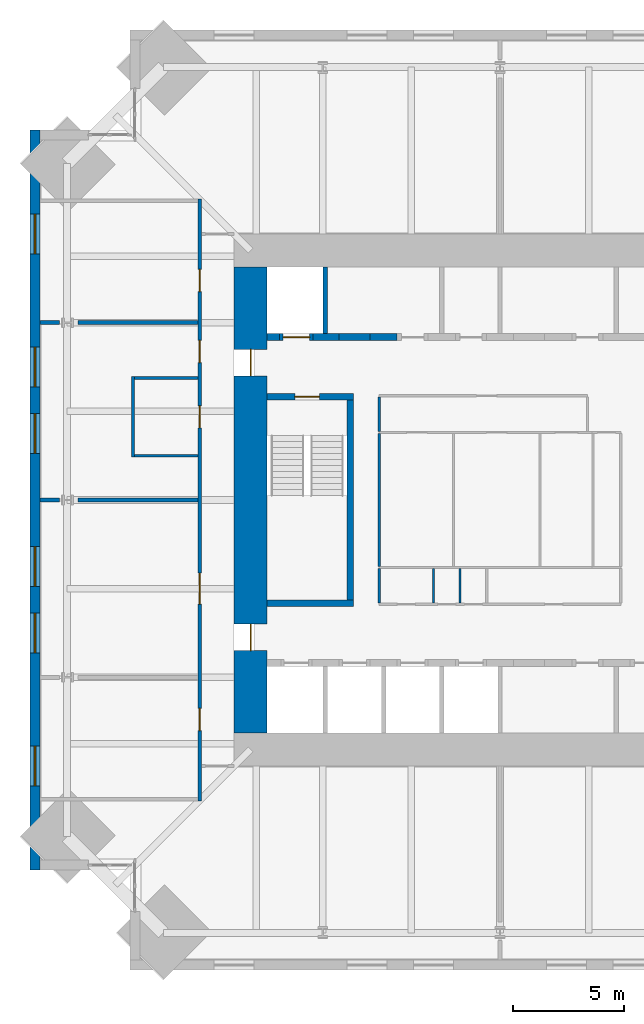
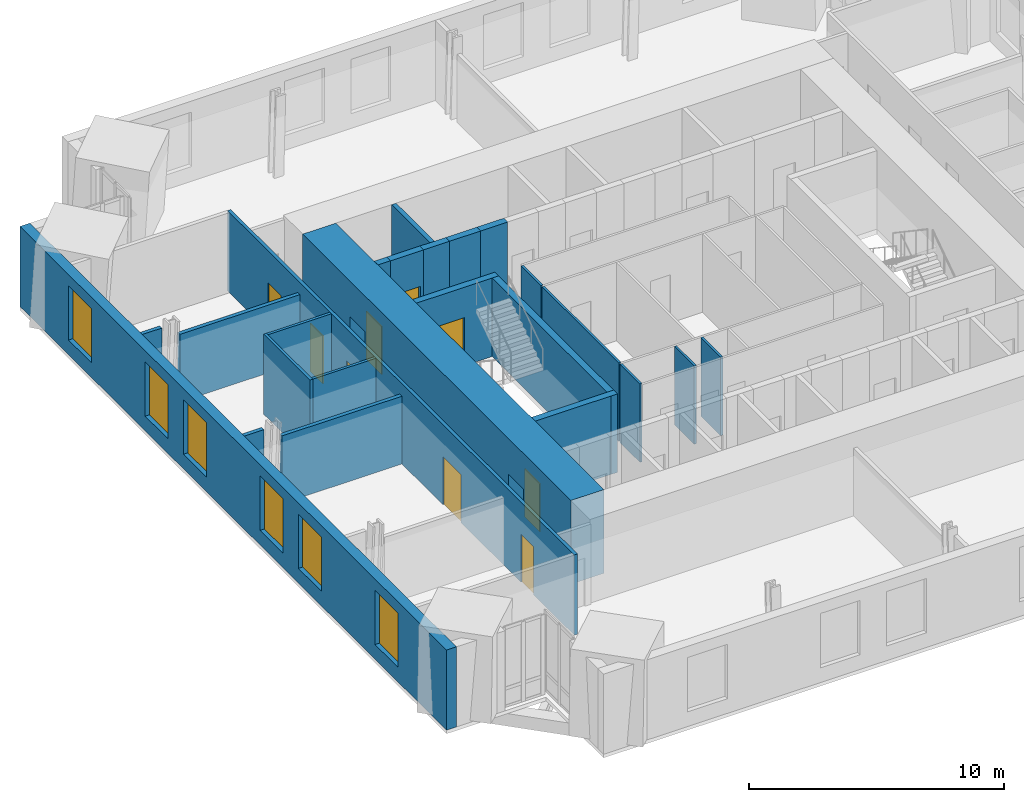
# One storey, part 11 of 15: 24 walls, 9 doors, 6 windows, 15 openings.
"""IFC4 building model written with IfcOpenShell, lengths in metres."""

import ifcopenshell
import ifcopenshell.guid

model = None  # the IFC model being written
_history = None  # IfcOwnerHistory: only IFC2X3 demands one
_inside = {}  # id of a spatial element -> (the spatial element, [elements in it])
_under = {}  # id of a project, library or spatial element -> (it, [spatial elements below it])
_declared = {}  # id of a project -> (the project, [libraries it declares])
_typed = {}  # id of a type object -> (the type object, [elements of that type])
_made_of = {}  # id of a material, layer set ... -> (it, [elements and type objects made of it])


def new_model(schema):
    """Start an empty IFC model of exactly this schema.

    Asked for "IFC4X3", IfcOpenShell would pick the latest addendum, in which some entities
    have other attributes; the version numbers below select the first issue.
    IFC2X3 requires an IfcOwnerHistory on every rooted entity: one is made here for all.
    """
    global model, _history
    if schema == "IFC4X3":
        model = ifcopenshell.file(schema_version=(4, 3, 0, 0))
    else:
        model = ifcopenshell.file(schema=schema)
    _inside.clear()
    _under.clear()
    _declared.clear()
    _typed.clear()
    _made_of.clear()
    _history = None
    if model.schema == "IFC2X3":
        org = make("IfcOrganization", Name="unknown")
        user = make(
            "IfcPersonAndOrganization",
            ThePerson=make("IfcPerson", FamilyName="unknown"),
            TheOrganization=org,
        )
        app = make(
            "IfcApplication",
            ApplicationDeveloper=org,
            Version="unknown",
            ApplicationFullName="unknown",
            ApplicationIdentifier="unknown",
        )
        _history = make(
            "IfcOwnerHistory",
            OwningUser=user,
            OwningApplication=app,
            ChangeAction="ADDED",
            CreationDate=0,
        )
    return model


def make(cls, **values):
    """One entity of the class cls with the attributes given. An attribute that is None is left unset."""
    return model.create_entity(
        cls, **{name: value for name, value in values.items() if value is not None}
    )


def rooted(cls, **values):
    """An entity with a GlobalId (a new one), such as an element, a storey or a relation."""
    return make(cls, GlobalId=ifcopenshell.guid.new(), OwnerHistory=_history, **values)


def si_unit(unit_type, name, prefix=None):
    """IfcSIUnit, for example si_unit("LENGTHUNIT", "METRE", prefix="MILLI")."""
    return make("IfcSIUnit", UnitType=unit_type, Prefix=prefix, Name=name)


def assignment(units):
    """IfcUnitAssignment: the units of a project."""
    return None if units is None else make("IfcUnitAssignment", Units=units)


def point(xyz):
    """IfcCartesianPoint."""
    return None if xyz is None else make("IfcCartesianPoint", Coordinates=xyz)


def direction(xyz):
    """IfcDirection."""
    return None if xyz is None else make("IfcDirection", DirectionRatios=xyz)


def frame(location, z_axis=None, x_axis=None):
    """IfcAxis2Placement3D, a coordinate frame: its origin and axes. An axis left out is left unset."""
    return make(
        "IfcAxis2Placement3D",
        Location=point(location),
        Axis=direction(z_axis),
        RefDirection=direction(x_axis),
    )


def frame_2d(location, x_axis=None):
    """IfcAxis2Placement2D, a coordinate frame in the plane: its origin and x axis."""
    return make(
        "IfcAxis2Placement2D", Location=point(location), RefDirection=direction(x_axis)
    )


def origin():
    """The frame at (0, 0, 0) with its axes left unset."""
    return frame((0.0, 0.0, 0.0))


def place(relative_to, where):
    """IfcLocalPlacement: puts the frame where relative to a parent placement (None: the world)."""
    return make(
        "IfcLocalPlacement", PlacementRelTo=relative_to, RelativePlacement=where
    )


def context(
    kind, dimensions, precision=None, world=None, true_north=None, identifier=None
):
    """IfcGeometricRepresentationContext, for example the 3D "Model" context."""
    return make(
        "IfcGeometricRepresentationContext",
        ContextIdentifier=identifier,
        ContextType=kind,
        CoordinateSpaceDimension=dimensions,
        Precision=precision,
        WorldCoordinateSystem=world,
        TrueNorth=true_north,
    )


def subcontext(parent, identifier, kind, view, scale=None):
    """IfcGeometricRepresentationSubContext, for example "Body" below "Model"."""
    return make(
        "IfcGeometricRepresentationSubContext",
        ContextIdentifier=identifier,
        ContextType=kind,
        ParentContext=parent,
        TargetScale=scale,
        TargetView=view,
    )


def project(units=None, contexts=None):
    """IfcProject with its units and contexts."""
    return rooted(
        "IfcProject",
        Name="project",
        RepresentationContexts=contexts,
        UnitsInContext=assignment(units),
    )


def spatial(cls, under=None, at=None, **own):
    """A site, building, storey or space (cls), placed at a placement, below another one or the project."""
    s = rooted(cls, ObjectPlacement=at, **own)
    if under is not None:
        _under.setdefault(under.id(), (under, []))[1].append(s)
    return s


def profile(cls, at=None, kind="AREA", **sizes):
    """A parametric profile (cls). Its sizes go by their IFC names, for example OverallWidth=200.0."""
    return make(cls, ProfileType=kind, Position=at, **sizes)


def rectangle(**sizes):
    """IfcRectangleProfileDef."""
    return profile("IfcRectangleProfileDef", **sizes)


def extrude(swept, where, along, depth):
    """IfcExtrudedAreaSolid: the profile swept, set in the frame where, extruded along a direction by depth."""
    return make(
        "IfcExtrudedAreaSolid",
        SweptArea=swept,
        Position=where,
        ExtrudedDirection=direction(along),
        Depth=depth,
    )


def shape(context_of_items, identifier, shape_type, items):
    """IfcShapeRepresentation: the items that make up one representation, for example the "Body"."""
    return make(
        "IfcShapeRepresentation",
        ContextOfItems=context_of_items,
        RepresentationIdentifier=identifier,
        RepresentationType=shape_type,
        Items=items,
    )


def material(Name=None, Category=None):
    """IfcMaterial."""
    return make("IfcMaterial", Name=Name, Category=Category)


def layer(
    of_material, thickness, ventilated=None, Name=None, Category=None, Priority=None
):
    """IfcMaterialLayer: one layer of a wall or slab, of a material (None: an air gap)."""
    return make(
        "IfcMaterialLayer",
        Material=of_material,
        LayerThickness=thickness,
        IsVentilated=ventilated,
        Name=Name,
        Category=Category,
        Priority=Priority,
    )


def layer_set(layers, Name=None):
    """IfcMaterialLayerSet."""
    return make("IfcMaterialLayerSet", MaterialLayers=layers, LayerSetName=Name)


def made_of(thing, what):
    """Note that an element or type object is made of a material, layer set ...; save() writes the relation."""
    if what is not None:
        _made_of.setdefault(what.id(), (what, []))[1].append(thing)
    return thing


def type_object(cls, material=None, **own):
    """A type object (cls), such as IfcWallType, which elements share."""
    return made_of(rooted(cls, **own), material)


def element(
    cls,
    number,
    at=None,
    inside=None,
    cuts=None,
    type_object=None,
    material=None,
    context=None,
    identifier="Body",
    shape_type=None,
    held_by="IfcProductDefinitionShape",
    body=None,
    shapes=None,
    **own,
):
    """One element of the class cls, such as IfcWall. Its Tag is "e" and its number.

    at: its placement. inside: the storey or other place that contains it. cuts: it is an
    opening in that element (IfcRelVoidsElement). A single representation is given by context,
    identifier, shape_type and body (its items); several are given by shapes. held_by: the class
    of the entity that holds the representations. save() writes the other relations.
    """
    e = rooted(cls, Tag="e%d" % number, ObjectPlacement=at, **own)
    if body is not None:
        shapes = [shape(context, identifier, shape_type, body)]
    if shapes is not None:
        e.Representation = make(held_by, Representations=shapes)
    if inside is not None:
        _inside.setdefault(inside.id(), (inside, []))[1].append(e)
    if cuts is not None:
        rooted(
            "IfcRelVoidsElement", RelatingBuildingElement=cuts, RelatedOpeningElement=e
        )
    if type_object is not None:
        _typed.setdefault(type_object.id(), (type_object, []))[1].append(e)
    return made_of(e, material)


def fill(opening, filler):
    """IfcRelFillsElement: the door or window that sits in an opening."""
    return rooted(
        "IfcRelFillsElement",
        RelatingOpeningElement=opening,
        RelatedBuildingElement=filler,
    )


def aggregate(whole, parts):
    """IfcRelAggregates: a whole, such as a stair, and the parts it consists of."""
    return rooted("IfcRelAggregates", RelatingObject=whole, RelatedObjects=parts)


def save(model, path):
    """Write the relations noted so far, then the file.

    IfcRelAggregates (storeys below a building ...), IfcRelContainedInSpatialStructure (elements
    in a storey), IfcRelDefinesByType, IfcRelAssociatesMaterial and IfcRelDeclares: one each for
    every whole, place, type object, material and project.
    """
    for whole, parts in _under.values():
        aggregate(whole, parts)
    for where, things in _inside.values():
        rooted(
            "IfcRelContainedInSpatialStructure",
            RelatedElements=things,
            RelatingStructure=where,
        )
    for kind, things in _typed.values():
        rooted("IfcRelDefinesByType", RelatedObjects=things, RelatingType=kind)
    for what, things in _made_of.values():
        rooted("IfcRelAssociatesMaterial", RelatedObjects=things, RelatingMaterial=what)
    for by, libraries in _declared.values():
        rooted("IfcRelDeclares", RelatingContext=by, RelatedDefinitions=libraries)
    model.write(path)


model = new_model("IFC4")

# Units and contexts
model_context = context("Model", 3, precision=1e-05, world=origin(), true_north=direction((0.0, 1.0)))
body_context = subcontext(model_context, "Body", "Model", "MODEL_VIEW")
ifc_project = project(units=[si_unit("LENGTHUNIT", "METRE"), si_unit("AREAUNIT", "SQUARE_METRE"), si_unit("VOLUMEUNIT", "CUBIC_METRE"), si_unit("PLANEANGLEUNIT", "RADIAN"), si_unit("MASSUNIT", "GRAM", prefix="KILO")], contexts=[model_context])

# Site, building, storey
site_placement = place(None, origin())
site = spatial("IfcSite", under=ifc_project, at=site_placement, CompositionType="ELEMENT")
building_placement = place(site_placement, origin())
building = spatial("IfcBuilding", under=site, at=building_placement, Name="Peilmerk Tower", CompositionType="ELEMENT")
storey_placement = place(building_placement, frame((0.0, 0.0, 281.800048828125)))
storey = spatial("IfcBuildingStorey", under=building, at=storey_placement, Name="L63", CompositionType="ELEMENT", Elevation=281.800048828125)

# Wall, openings, windows
ifc_material_1 = material(Name="Precast concrete C45/55, board-marked finish", Category="concrete")
ifc_layer_1 = layer(ifc_material_1, 0.449951171875)
ifc_layer_set_1 = layer_set([ifc_layer_1], Name="Precast concrete C45/55, board-marked finish")
wall_type_1 = type_object("IfcWallType", Name="EW1 450 precast concrete facade wall, board-marked", PredefinedType="SOLIDWALL", material=ifc_layer_set_1)
wall_1_placement = place(storey_placement, frame((-20.97509765625, 16.699951171875, 0.0), z_axis=(0.0, 0.0, 1.0), x_axis=(0.0, -1.0, 0.0)))
wall_1 = element("IfcWall", 1, at=wall_1_placement, inside=storey, type_object=wall_type_1, Name="Facade wall W L63", PredefinedType="SOLIDWALL", context=body_context, shape_type="SweptSolid", body=[
    extrude(rectangle(XDim=33.39990234375, YDim=0.449951171875, at=frame_2d((16.699951171875, 0.0))), origin(), (0.0, 0.0, 1.0), 3.829833984375),
])
opening_1_placement = place(wall_1_placement, frame((3.800048828125, 0.0, 0.699951171875)))
opening_1 = element("IfcOpeningElement", 2, at=opening_1_placement, cuts=wall_1, Name="Opening W1", PredefinedType="OPENING", context=body_context, shape_type="SweptSolid", body=[
    extrude(rectangle(XDim=1.800048828125, YDim=2.60009765625, at=frame_2d((0.89990234375, 1.300048828125))), frame((0.0, 0.23486328125, 0.0), z_axis=(0.0, -1.0, 0.0), x_axis=(1.0, 0.0, 0.0)), (0.0, 0.0, 1.0), 0.469970703125),
])
opening_2_placement = place(wall_1_placement, frame((9.800048828125, 0.0, 0.699951171875)))
opening_2 = element("IfcOpeningElement", 3, at=opening_2_placement, cuts=wall_1, Name="Opening W1", PredefinedType="OPENING", context=body_context, shape_type="SweptSolid", body=[
    extrude(rectangle(XDim=1.800048828125, YDim=2.60009765625, at=frame_2d((0.89990234375, 1.300048828125))), frame((0.0, 0.23486328125, 0.0), z_axis=(0.0, -1.0, 0.0), x_axis=(1.0, 0.0, 0.0)), (0.0, 0.0, 1.0), 0.469970703125),
])
opening_3_placement = place(wall_1_placement, frame((12.800048828125, 0.0, 0.699951171875)))
opening_3 = element("IfcOpeningElement", 4, at=opening_3_placement, cuts=wall_1, Name="Opening W1", PredefinedType="OPENING", context=body_context, shape_type="SweptSolid", body=[
    extrude(rectangle(XDim=1.800048828125, YDim=2.60009765625, at=frame_2d((0.89990234375, 1.300048828125))), frame((0.0, 0.23486328125, 0.0), z_axis=(0.0, -1.0, 0.0), x_axis=(1.0, 0.0, 0.0)), (0.0, 0.0, 1.0), 0.469970703125),
])
opening_4_placement = place(wall_1_placement, frame((18.800048828125, 0.0, 0.699951171875)))
opening_4 = element("IfcOpeningElement", 5, at=opening_4_placement, cuts=wall_1, Name="Opening W1", PredefinedType="OPENING", context=body_context, shape_type="SweptSolid", body=[
    extrude(rectangle(XDim=1.800048828125, YDim=2.60009765625, at=frame_2d((0.89990234375, 1.300048828125))), frame((0.0, 0.23486328125, 0.0), z_axis=(0.0, -1.0, 0.0), x_axis=(1.0, 0.0, 0.0)), (0.0, 0.0, 1.0), 0.469970703125),
])
opening_5_placement = place(wall_1_placement, frame((21.800048828125, 0.0, 0.699951171875)))
opening_5 = element("IfcOpeningElement", 6, at=opening_5_placement, cuts=wall_1, Name="Opening W1", PredefinedType="OPENING", context=body_context, shape_type="SweptSolid", body=[
    extrude(rectangle(XDim=1.800048828125, YDim=2.60009765625, at=frame_2d((0.89990234375, 1.300048828125))), frame((0.0, 0.23486328125, 0.0), z_axis=(0.0, -1.0, 0.0), x_axis=(1.0, 0.0, 0.0)), (0.0, 0.0, 1.0), 0.469970703125),
])
opening_6_placement = place(wall_1_placement, frame((27.800048828125, 0.0, 0.699951171875)))
opening_6 = element("IfcOpeningElement", 7, at=opening_6_placement, cuts=wall_1, Name="Opening W1", PredefinedType="OPENING", context=body_context, shape_type="SweptSolid", body=[
    extrude(rectangle(XDim=1.800048828125, YDim=2.60009765625, at=frame_2d((0.89990234375, 1.300048828125))), frame((0.0, 0.23486328125, 0.0), z_axis=(0.0, -1.0, 0.0), x_axis=(1.0, 0.0, 0.0)), (0.0, 0.0, 1.0), 0.469970703125),
])
ifc_material_2 = material(Name="Aluminium frame, clear double glazing", Category="aluminium")
window_type = type_object("IfcWindowType", Name="W1 1800x2600 office window", PartitioningType="SINGLE_PANEL", PredefinedType="WINDOW", material=ifc_material_2)
window_1_placement = place(opening_1_placement, origin())
window_1 = element("IfcWindow", 8, at=window_1_placement, inside=storey, type_object=window_type, Name="Window W1 L63", OverallHeight=2.60009765625, OverallWidth=1.800048828125, PartitioningType="SINGLE_PANEL", PredefinedType="WINDOW", context=body_context, shape_type="SweptSolid", body=[
    extrude(rectangle(XDim=1.800048828125, YDim=2.60009765625, at=frame_2d((0.89990234375, 1.300048828125))), frame((0.0, 0.030029296875, 0.0), z_axis=(0.0, -1.0, 0.0), x_axis=(1.0, 0.0, 0.0)), (0.0, 0.0, 1.0), 0.06005859375),
])
fill(opening_1, window_1)
window_2_placement = place(opening_2_placement, origin())
window_2 = element("IfcWindow", 9, at=window_2_placement, inside=storey, type_object=window_type, Name="Window W1 L63", OverallHeight=2.60009765625, OverallWidth=1.800048828125, PartitioningType="SINGLE_PANEL", PredefinedType="WINDOW", context=body_context, shape_type="SweptSolid", body=[
    extrude(rectangle(XDim=1.800048828125, YDim=2.60009765625, at=frame_2d((0.89990234375, 1.300048828125))), frame((0.0, 0.030029296875, 0.0), z_axis=(0.0, -1.0, 0.0), x_axis=(1.0, 0.0, 0.0)), (0.0, 0.0, 1.0), 0.06005859375),
])
fill(opening_2, window_2)
window_3_placement = place(opening_3_placement, origin())
window_3 = element("IfcWindow", 10, at=window_3_placement, inside=storey, type_object=window_type, Name="Window W1 L63", OverallHeight=2.60009765625, OverallWidth=1.800048828125, PartitioningType="SINGLE_PANEL", PredefinedType="WINDOW", context=body_context, shape_type="SweptSolid", body=[
    extrude(rectangle(XDim=1.800048828125, YDim=2.60009765625, at=frame_2d((0.89990234375, 1.300048828125))), frame((0.0, 0.030029296875, 0.0), z_axis=(0.0, -1.0, 0.0), x_axis=(1.0, 0.0, 0.0)), (0.0, 0.0, 1.0), 0.06005859375),
])
fill(opening_3, window_3)
window_4_placement = place(opening_4_placement, origin())
window_4 = element("IfcWindow", 11, at=window_4_placement, inside=storey, type_object=window_type, Name="Window W1 L63", OverallHeight=2.60009765625, OverallWidth=1.800048828125, PartitioningType="SINGLE_PANEL", PredefinedType="WINDOW", context=body_context, shape_type="SweptSolid", body=[
    extrude(rectangle(XDim=1.800048828125, YDim=2.60009765625, at=frame_2d((0.89990234375, 1.300048828125))), frame((0.0, 0.030029296875, 0.0), z_axis=(0.0, -1.0, 0.0), x_axis=(1.0, 0.0, 0.0)), (0.0, 0.0, 1.0), 0.06005859375),
])
fill(opening_4, window_4)
window_5_placement = place(opening_5_placement, origin())
window_5 = element("IfcWindow", 12, at=window_5_placement, inside=storey, type_object=window_type, Name="Window W1 L63", OverallHeight=2.60009765625, OverallWidth=1.800048828125, PartitioningType="SINGLE_PANEL", PredefinedType="WINDOW", context=body_context, shape_type="SweptSolid", body=[
    extrude(rectangle(XDim=1.800048828125, YDim=2.60009765625, at=frame_2d((0.89990234375, 1.300048828125))), frame((0.0, 0.030029296875, 0.0), z_axis=(0.0, -1.0, 0.0), x_axis=(1.0, 0.0, 0.0)), (0.0, 0.0, 1.0), 0.06005859375),
])
fill(opening_5, window_5)
window_6_placement = place(opening_6_placement, origin())
window_6 = element("IfcWindow", 13, at=window_6_placement, inside=storey, type_object=window_type, Name="Window W1 L63", OverallHeight=2.60009765625, OverallWidth=1.800048828125, PartitioningType="SINGLE_PANEL", PredefinedType="WINDOW", context=body_context, shape_type="SweptSolid", body=[
    extrude(rectangle(XDim=1.800048828125, YDim=2.60009765625, at=frame_2d((0.89990234375, 1.300048828125))), frame((0.0, 0.030029296875, 0.0), z_axis=(0.0, -1.0, 0.0), x_axis=(1.0, 0.0, 0.0)), (0.0, 0.0, 1.0), 0.06005859375),
])
fill(opening_6, window_6)

# Wall, openings, doors
ifc_material_3 = material(Name="Calcium silicate block", Category="masonry")
ifc_layer_2 = layer(ifc_material_3, 0.14990234375)
ifc_layer_set_2 = layer_set([ifc_layer_2], Name="Calcium silicate block")
wall_type_2 = type_object("IfcWallType", Name="IW1 150 corridor partition, EI 60", PredefinedType="PARTITIONING", material=ifc_layer_set_2)
wall_2_placement = place(storey_placement, frame((-13.550048828125, 13.574951171875, 0.0), z_axis=(0.0, 0.0, 1.0), x_axis=(0.0, -1.0, 0.0)))
wall_2 = element("IfcWall", 14, at=wall_2_placement, inside=storey, type_object=wall_type_2, Name="Corridor wall W L63", PredefinedType="PARTITIONING", context=body_context, shape_type="SweptSolid", body=[
    extrude(rectangle(XDim=27.14990234375, YDim=0.14990234375, at=frame_2d((13.574951171875, 0.0))), origin(), (0.0, 0.0, 1.0), 3.829833984375),
])
opening_7_placement = place(wall_2_placement, frame((22.97509765625, 0.0, 0.0)))
opening_7 = element("IfcOpeningElement", 15, at=opening_7_placement, cuts=wall_2, Name="Opening D1", PredefinedType="OPENING", context=body_context, shape_type="SweptSolid", body=[
    extrude(rectangle(XDim=1.0, YDim=2.300048828125, at=frame_2d((0.5, 1.14990234375))), frame((0.0, 0.0849609375, 0.0), z_axis=(0.0, -1.0, 0.0), x_axis=(1.0, 0.0, 0.0)), (0.0, 0.0, 1.0), 0.169921875),
])
opening_8_placement = place(wall_2_placement, frame((16.875, 0.0, 0.0)))
opening_8 = element("IfcOpeningElement", 16, at=opening_8_placement, cuts=wall_2, Name="Opening D8", PredefinedType="OPENING", context=body_context, shape_type="SweptSolid", body=[
    extrude(rectangle(XDim=1.39990234375, YDim=2.300048828125, at=frame_2d((0.699951171875, 1.14990234375))), frame((0.0, 0.0849609375, 0.0), z_axis=(0.0, -1.0, 0.0), x_axis=(1.0, 0.0, 0.0)), (0.0, 0.0, 1.0), 0.169921875),
])
opening_9_placement = place(wall_2_placement, frame((6.375, 0.0, 0.0)))
opening_9 = element("IfcOpeningElement", 17, at=opening_9_placement, cuts=wall_2, Name="Opening D1", PredefinedType="OPENING", context=body_context, shape_type="SweptSolid", body=[
    extrude(rectangle(XDim=1.0, YDim=2.300048828125, at=frame_2d((0.5, 1.14990234375))), frame((0.0, 0.0849609375, 0.0), z_axis=(0.0, -1.0, 0.0), x_axis=(1.0, 0.0, 0.0)), (0.0, 0.0, 1.0), 0.169921875),
])
opening_10_placement = place(wall_2_placement, frame((3.175048828125, 0.0, 0.0)))
opening_10 = element("IfcOpeningElement", 18, at=opening_10_placement, cuts=wall_2, Name="Opening D1", PredefinedType="OPENING", context=body_context, shape_type="SweptSolid", body=[
    extrude(rectangle(XDim=1.0, YDim=2.300048828125, at=frame_2d((0.5, 1.14990234375))), frame((0.0, 0.0849609375, 0.0), z_axis=(0.0, -1.0, 0.0), x_axis=(1.0, 0.0, 0.0)), (0.0, 0.0, 1.0), 0.169921875),
])
opening_11_placement = place(wall_2_placement, frame((9.324951171875, 0.0, 0.0)))
opening_11 = element("IfcOpeningElement", 19, at=opening_11_placement, cuts=wall_2, Name="Opening D1", PredefinedType="OPENING", context=body_context, shape_type="SweptSolid", body=[
    extrude(rectangle(XDim=1.0, YDim=2.300048828125, at=frame_2d((0.5, 1.14990234375))), frame((0.0, 0.0849609375, 0.0), z_axis=(0.0, -1.0, 0.0), x_axis=(1.0, 0.0, 0.0)), (0.0, 0.0, 1.0), 0.169921875),
])
ifc_material_4 = material(Name="Timber door in steel frame", Category="steel")
door_type_1 = type_object("IfcDoorType", Name="D1 1000x2300 room door, EI2 30", OperationType="SINGLE_SWING_LEFT", PredefinedType="DOOR", material=ifc_material_4)
door_1_placement = place(opening_7_placement, frame((1.0, 0.0, 0.0), z_axis=(0.0, 0.0, 1.0), x_axis=(-1.0, 0.0, 0.0)))
door_1 = element("IfcDoor", 20, at=door_1_placement, inside=storey, type_object=door_type_1, Name="Door Executive office L63", OperationType="SINGLE_SWING_LEFT", OverallHeight=2.300048828125, OverallWidth=1.0, PredefinedType="DOOR", context=body_context, shape_type="SweptSolid", body=[
    extrude(rectangle(XDim=1.0, YDim=2.300048828125, at=frame_2d((0.5, 1.14990234375))), frame((0.0, 0.02490234375, 0.0), z_axis=(0.0, -1.0, 0.0), x_axis=(1.0, 0.0, 0.0)), (0.0, 0.0, 1.0), 0.050048828125),
])
fill(opening_7, door_1)
door_2_placement = place(opening_9_placement, frame((1.0, 0.0, 0.0), z_axis=(0.0, 0.0, 1.0), x_axis=(-1.0, 0.0, 0.0)))
door_2 = element("IfcDoor", 21, at=door_2_placement, inside=storey, type_object=door_type_1, Name="Door Executive office L63", OperationType="SINGLE_SWING_LEFT", OverallHeight=2.300048828125, OverallWidth=1.0, PredefinedType="DOOR", context=body_context, shape_type="SweptSolid", body=[
    extrude(rectangle(XDim=1.0, YDim=2.300048828125, at=frame_2d((0.5, 1.14990234375))), frame((0.0, 0.02490234375, 0.0), z_axis=(0.0, -1.0, 0.0), x_axis=(1.0, 0.0, 0.0)), (0.0, 0.0, 1.0), 0.050048828125),
])
fill(opening_9, door_2)
door_3_placement = place(opening_10_placement, frame((1.0, 0.0, 0.0), z_axis=(0.0, 0.0, 1.0), x_axis=(-1.0, 0.0, 0.0)))
door_3 = element("IfcDoor", 22, at=door_3_placement, inside=storey, type_object=door_type_1, Name="Door Security control room L63", OperationType="SINGLE_SWING_LEFT", OverallHeight=2.300048828125, OverallWidth=1.0, PredefinedType="DOOR", context=body_context, shape_type="SweptSolid", body=[
    extrude(rectangle(XDim=1.0, YDim=2.300048828125, at=frame_2d((0.5, 1.14990234375))), frame((0.0, 0.02490234375, 0.0), z_axis=(0.0, -1.0, 0.0), x_axis=(1.0, 0.0, 0.0)), (0.0, 0.0, 1.0), 0.050048828125),
])
fill(opening_10, door_3)
door_4_placement = place(opening_11_placement, frame((1.0, 0.0, 0.0), z_axis=(0.0, 0.0, 1.0), x_axis=(-1.0, 0.0, 0.0)))
door_4 = element("IfcDoor", 23, at=door_4_placement, inside=storey, type_object=door_type_1, Name="Door Pantry L63", OperationType="SINGLE_SWING_LEFT", OverallHeight=2.300048828125, OverallWidth=1.0, PredefinedType="DOOR", context=body_context, shape_type="SweptSolid", body=[
    extrude(rectangle(XDim=1.0, YDim=2.300048828125, at=frame_2d((0.5, 1.14990234375))), frame((0.0, 0.02490234375, 0.0), z_axis=(0.0, -1.0, 0.0), x_axis=(1.0, 0.0, 0.0)), (0.0, 0.0, 1.0), 0.050048828125),
])
fill(opening_11, door_4)
door_type_2 = type_object("IfcDoorType", Name="D8 1400x2300 leaf-and-a-half door, EI2 30", OperationType="DOUBLE_DOOR_SINGLE_SWING", PredefinedType="DOOR", material=ifc_material_4)
door_5_placement = place(opening_8_placement, frame((1.39990234375, 0.0, 0.0), z_axis=(0.0, 0.0, 1.0), x_axis=(-1.0, 0.0, 0.0)))
door_5 = element("IfcDoor", 24, at=door_5_placement, inside=storey, type_object=door_type_2, Name="Door Board room L63", OperationType="DOUBLE_DOOR_SINGLE_SWING", OverallHeight=2.300048828125, OverallWidth=1.39990234375, PredefinedType="DOOR", context=body_context, shape_type="SweptSolid", body=[
    extrude(rectangle(XDim=1.39990234375, YDim=2.300048828125, at=frame_2d((0.699951171875, 1.14990234375))), frame((0.0, 0.02490234375, 0.0), z_axis=(0.0, -1.0, 0.0), x_axis=(1.0, 0.0, 0.0)), (0.0, 0.0, 1.0), 0.050048828125),
])
fill(opening_8, door_5)

# Wall
ifc_material_5 = material(Name="Concrete C35/45", Category="concrete")
ifc_layer_3 = layer(ifc_material_5, 0.300048828125)
ifc_layer_set_3 = layer_set([ifc_layer_3], Name="Concrete C35/45")
wall_type_3 = type_object("IfcWallType", Name="IW3 300 concrete stair enclosure wall, EI 120", PredefinedType="SOLIDWALL", material=ifc_layer_set_3)
wall_3_placement = place(storey_placement, frame((-6.75, -4.800048828125, 0.0), z_axis=(0.0, 0.0, 1.0), x_axis=(0.0, 1.0, 0.0)))
element("IfcWall", 25, at=wall_3_placement, inside=storey, type_object=wall_type_3, Name="Stair 1 enclosure L63", PredefinedType="SOLIDWALL", context=body_context, shape_type="SweptSolid", body=[
    extrude(rectangle(XDim=9.60009765625, YDim=0.300048828125, at=frame_2d((4.800048828125, 0.0))), origin(), (0.0, 0.0, 1.0), 3.75),
])

# Wall, opening, door
wall_4_placement = place(storey_placement, frame((-10.5, 4.64990234375, 0.0), z_axis=(0.0, 0.0, 1.0), x_axis=(1.0, 0.0, 0.0)))
wall_4 = element("IfcWall", 26, at=wall_4_placement, inside=storey, type_object=wall_type_3, Name="Stair 1 enclosure L63", PredefinedType="SOLIDWALL", context=body_context, shape_type="SweptSolid", body=[
    extrude(rectangle(XDim=3.89990234375, YDim=0.300048828125, at=frame_2d((1.949951171875, 0.0))), origin(), (0.0, 0.0, 1.0), 3.75),
])
opening_12_placement = place(wall_4_placement, frame((1.25, 0.0, 0.0)))
opening_12 = element("IfcOpeningElement", 27, at=opening_12_placement, cuts=wall_4, Name="Opening D4", PredefinedType="OPENING", context=body_context, shape_type="SweptSolid", body=[
    extrude(rectangle(XDim=1.10009765625, YDim=2.300048828125, at=frame_2d((0.550048828125, 1.14990234375))), frame((0.0, 0.159912109375, 0.0), z_axis=(0.0, -1.0, 0.0), x_axis=(1.0, 0.0, 0.0)), (0.0, 0.0, 1.0), 0.320068359375),
])
ifc_material_6 = material(Name="Steel door in steel frame", Category="steel")
door_type_3 = type_object("IfcDoorType", Name="D4 1100x2300 stair door, EI2 60", OperationType="SINGLE_SWING_RIGHT", PredefinedType="DOOR", material=ifc_material_6)
door_6_placement = place(opening_12_placement, frame((1.10009765625, 0.0, 0.0), z_axis=(0.0, 0.0, 1.0), x_axis=(-1.0, 0.0, 0.0)))
door_6 = element("IfcDoor", 28, at=door_6_placement, inside=storey, type_object=door_type_3, Name="Stair 1 door L63", OperationType="SINGLE_SWING_RIGHT", OverallHeight=2.300048828125, OverallWidth=1.10009765625, PredefinedType="DOOR", context=body_context, shape_type="SweptSolid", body=[
    extrude(rectangle(XDim=1.10009765625, YDim=2.300048828125, at=frame_2d((0.550048828125, 1.14990234375))), frame((0.0, 0.02490234375, 0.0), z_axis=(0.0, -1.0, 0.0), x_axis=(1.0, 0.0, 0.0)), (0.0, 0.0, 1.0), 0.050048828125),
])
fill(opening_12, door_6)

# Walls
wall_5_placement = place(storey_placement, frame((-6.60009765625, -4.64990234375, 0.0), z_axis=(0.0, 0.0, 1.0), x_axis=(-1.0, 0.0, 0.0)))
element("IfcWall", 29, at=wall_5_placement, inside=storey, type_object=wall_type_3, Name="Stair 1 enclosure L63", PredefinedType="SOLIDWALL", context=body_context, shape_type="SweptSolid", body=[
    extrude(rectangle(XDim=3.89990234375, YDim=0.300048828125, at=frame_2d((1.949951171875, 0.0))), origin(), (0.0, 0.0, 1.0), 3.75),
])
ifc_material_7 = material(Name="Plasterboard on steel studs", Category="steel")
ifc_layer_4 = layer(ifc_material_7, 0.10009765625)
ifc_layer_set_4 = layer_set([ifc_layer_4], Name="Plasterboard on steel studs")
wall_type_4 = type_object("IfcWallType", Name="IW4 100 WC partition", PredefinedType="PARTITIONING", material=ifc_layer_set_4)
wall_6_placement = place(storey_placement, frame((-5.449951171875, -3.0, 0.0), z_axis=(0.0, 0.0, 1.0), x_axis=(0.0, 1.0, 0.0)))
element("IfcWall", 30, at=wall_6_placement, inside=storey, type_object=wall_type_4, Name="WC wall L63", PredefinedType="PARTITIONING", context=body_context, shape_type="SweptSolid", body=[
    extrude(rectangle(XDim=6.0, YDim=0.10009765625, at=frame_2d((3.0, 0.0))), origin(), (0.0, 0.0, 1.0), 3.75),
])
ifc_material_8 = material(Name="Calcium silicate board on steel studs", Category="steel")
ifc_layer_5 = layer(ifc_material_8, 0.10009765625)
ifc_layer_set_5 = layer_set([ifc_layer_5], Name="Calcium silicate board on steel studs")
wall_type_5 = type_object("IfcWallType", Name="IW5 100 riser enclosure wall, EI 60", PredefinedType="PARTITIONING", material=ifc_layer_set_5)
for number, where, z_axis, x_axis, name in (
    (31, (-5.449951171875, -3.10009765625, 0.0), (0.0, 0.0, 1.0), (0.0, -1.0, 0.0), "Riser wall L63"),
    (32, (-3.0, -3.10009765625, 0.0), (0.0, 0.0, 1.0), (0.0, -1.0, 0.0), "Riser wall L63"),
    (33, (-1.800048828125, -3.10009765625, 0.0), (0.0, 0.0, 1.0), (0.0, -1.0, 0.0), "Riser wall L63"),
):
    element("IfcWall", number, at=place(storey_placement, frame(where, z_axis=z_axis, x_axis=x_axis)), inside=storey, type_object=wall_type_5, Name=name, PredefinedType="PARTITIONING", context=body_context, shape_type="SweptSolid", body=[
        extrude(rectangle(XDim=1.5498046875, YDim=0.10009765625, at=frame_2d((0.77490234375, 0.0))), origin(), (0.0, 0.0, 1.0), 3.75),
    ])
ifc_material_9 = material(Name="Plasterboard on steel studs, double boarded with mineral wool", Category="steel")
ifc_layer_6 = layer(ifc_material_9, 0.125)
ifc_layer_set_6 = layer_set([ifc_layer_6], Name="Plasterboard on steel studs, double boarded with mineral wool")
wall_type_6 = type_object("IfcWallType", Name="IW7 125 acoustic partition, EI 30", PredefinedType="PARTITIONING", material=ifc_layer_set_6)
wall_7_placement = place(storey_placement, frame((-16.550048828125, 1.9375, 0.0), z_axis=(0.0, 0.0, 1.0), x_axis=(0.0, 1.0, 0.0)))
element("IfcWall", 34, at=wall_7_placement, inside=storey, type_object=wall_type_6, Name="Acoustic partition Pantry L63", PredefinedType="PARTITIONING", context=body_context, shape_type="SweptSolid", body=[
    extrude(rectangle(XDim=3.625, YDim=0.125, at=frame_2d((1.8125, 0.0))), origin(), (0.0, 0.0, 1.0), 3.829833984375),
])
for number, where, z_axis, x_axis, name in (
    (35, (-13.625, 2.0, 0.0), (0.0, 0.0, 1.0), (-1.0, 0.0, 0.0), "Acoustic partition Pantry L63"),
    (36, (-13.625, 5.5, 0.0), (0.0, 0.0, 1.0), (-1.0, 0.0, 0.0), "Acoustic partition Pantry L63"),
):
    element("IfcWall", number, at=place(storey_placement, frame(where, z_axis=z_axis, x_axis=x_axis)), inside=storey, type_object=wall_type_6, Name=name, PredefinedType="PARTITIONING", context=body_context, shape_type="SweptSolid", body=[
        extrude(rectangle(XDim=2.862548828125, YDim=0.125, at=frame_2d((1.43115234375, 0.0))), origin(), (0.0, 0.0, 1.0), 3.829833984375),
    ])
ifc_layer_7 = layer(ifc_material_3, 0.175048828125)
ifc_layer_set_7 = layer_set([ifc_layer_7], Name="Calcium silicate block")
wall_type_7 = type_object("IfcWallType", Name="IW8 175 tenant separating wall, EI 60", PredefinedType="PARTITIONING", material=ifc_layer_set_7)
wall_8_placement = place(storey_placement, frame((-13.625, 0.0, 0.0), z_axis=(0.0, 0.0, 1.0), x_axis=(-1.0, 0.0, 0.0)))
element("IfcWall", 37, at=wall_8_placement, inside=storey, type_object=wall_type_7, Name="Tenant separating wall W2 L63", PredefinedType="PARTITIONING", context=body_context, shape_type="SweptSolid", body=[
    extrude(rectangle(XDim=5.41796875, YDim=0.175048828125, at=frame_2d((2.708984375, 0.0))), origin(), (0.0, 0.0, 1.0), 3.239990234375),
])
wall_9_placement = place(storey_placement, frame((-19.863525390625, 0.0, 0.0), z_axis=(0.0, 0.0, 1.0), x_axis=(-1.0, 0.0, 0.0)))
element("IfcWall", 38, at=wall_9_placement, inside=storey, type_object=wall_type_7, Name="Tenant separating wall W2b L63", PredefinedType="PARTITIONING", context=body_context, shape_type="SweptSolid", body=[
    extrude(rectangle(XDim=0.886474609375, YDim=0.175048828125, at=frame_2d((0.443359375, 0.0))), origin(), (0.0, 0.0, 1.0), 3.829833984375),
])
wall_10_placement = place(storey_placement, frame((-13.625, 8.0, 0.0), z_axis=(0.0, 0.0, 1.0), x_axis=(-1.0, 0.0, 0.0)))
element("IfcWall", 39, at=wall_10_placement, inside=storey, type_object=wall_type_7, Name="Tenant separating wall W3 L63", PredefinedType="PARTITIONING", context=body_context, shape_type="SweptSolid", body=[
    extrude(rectangle(XDim=5.41796875, YDim=0.175048828125, at=frame_2d((2.708984375, 0.0))), origin(), (0.0, 0.0, 1.0), 3.239990234375),
])
wall_11_placement = place(storey_placement, frame((-19.863525390625, 8.0, 0.0), z_axis=(0.0, 0.0, 1.0), x_axis=(-1.0, 0.0, 0.0)))
element("IfcWall", 40, at=wall_11_placement, inside=storey, type_object=wall_type_7, Name="Tenant separating wall W3b L63", PredefinedType="PARTITIONING", context=body_context, shape_type="SweptSolid", body=[
    extrude(rectangle(XDim=0.886474609375, YDim=0.175048828125, at=frame_2d((0.443359375, 0.0))), origin(), (0.0, 0.0, 1.0), 3.829833984375),
])
ifc_material_10 = material(Name="Fire-resisting plasterboard on steel studs", Category="steel")
ifc_layer_8 = layer(ifc_material_10, 0.10009765625)
ifc_layer_set_8 = layer_set([ifc_layer_8], Name="Fire-resisting plasterboard on steel studs")
wall_type_8 = type_object("IfcWallType", Name="IW9 100 WC lobby wall, EI 30", PredefinedType="PARTITIONING", material=ifc_layer_set_8)
wall_12_placement = place(storey_placement, frame((-5.449951171875, 3.10009765625, 0.0), z_axis=(0.0, 0.0, 1.0), x_axis=(0.0, 1.0, 0.0)))
element("IfcWall", 41, at=wall_12_placement, inside=storey, type_object=wall_type_8, Name="WC lobby wall L63", PredefinedType="PARTITIONING", context=body_context, shape_type="SweptSolid", body=[
    extrude(rectangle(XDim=1.5498046875, YDim=0.10009765625, at=frame_2d((0.77490234375, 0.0))), origin(), (0.0, 0.0, 1.0), 3.75),
])
ifc_layer_9 = layer(ifc_material_3, 0.199951171875)
ifc_layer_set_9 = layer_set([ifc_layer_9], Name="Calcium silicate block")
wall_type_9 = type_object("IfcWallType", Name="SH1 200 shaft dividing wall, EI 120", PredefinedType="PARTITIONING", material=ifc_layer_set_9)
wall_13_placement = place(storey_placement, frame((-7.875, 7.5, 0.0), z_axis=(0.0, 0.0, 1.0), x_axis=(0.0, 1.0, 0.0)))
element("IfcWall", 42, at=wall_13_placement, inside=storey, type_object=wall_type_9, Name="Shaft wall N FL1 L63", PredefinedType="PARTITIONING", context=body_context, shape_type="SweptSolid", body=[
    extrude(rectangle(XDim=3.0, YDim=0.199951171875, at=frame_2d((1.5, 0.0))), origin(), (0.0, 0.0, 1.0), 4.0),
])

# Wall, opening, door
ifc_layer_10 = layer(ifc_material_3, 0.300048828125)
ifc_layer_set_10 = layer_set([ifc_layer_10], Name="Calcium silicate block")
wall_type_10 = type_object("IfcWallType", Name="SH2 300 lift landing door panel, EI 120", PredefinedType="PARTITIONING", material=ifc_layer_set_10)
wall_14_placement = place(storey_placement, frame((-9.9375, 7.35009765625, 0.0), z_axis=(0.0, 0.0, 1.0), x_axis=(1.0, 0.0, 0.0)))
wall_14 = element("IfcWall", 43, at=wall_14_placement, inside=storey, type_object=wall_type_10, Name="Lift door panel N FL1 L63", PredefinedType="PARTITIONING", context=body_context, shape_type="SweptSolid", body=[
    extrude(rectangle(XDim=1.5, YDim=0.300048828125, at=frame_2d((0.75, 0.0))), origin(), (0.0, 0.0, 1.0), 4.0),
])
opening_13_placement = place(wall_14_placement, frame((0.14990234375, 0.0, 0.0)))
opening_13 = element("IfcOpeningElement", 44, at=opening_13_placement, cuts=wall_14, Name="Opening LD2", PredefinedType="OPENING", context=body_context, shape_type="SweptSolid", body=[
    extrude(rectangle(XDim=1.199951171875, YDim=2.300048828125, at=frame_2d((0.60009765625, 1.14990234375))), frame((0.0, 0.159912109375, 0.0), z_axis=(0.0, -1.0, 0.0), x_axis=(1.0, 0.0, 0.0)), (0.0, 0.0, 1.0), 0.320068359375),
])
ifc_material_11 = material(Name="Stainless steel landing door", Category="steel")
door_type_4 = type_object("IfcDoorType", Name="LD2 1200x2300 lift landing door, sliding, EI2 60", OperationType="SLIDING_TO_LEFT", PredefinedType="DOOR", material=ifc_material_11)
door_7_placement = place(opening_13_placement, frame((1.199951171875, 0.0, 0.0), z_axis=(0.0, 0.0, 1.0), x_axis=(-1.0, 0.0, 0.0)))
door_7 = element("IfcDoor", 45, at=door_7_placement, inside=storey, type_object=door_type_4, Name="Lift landing door FL1 L63", OperationType="SLIDING_TO_LEFT", OverallHeight=2.300048828125, OverallWidth=1.199951171875, PredefinedType="DOOR", context=body_context, shape_type="SweptSolid", body=[
    extrude(rectangle(XDim=1.199951171875, YDim=2.300048828125, at=frame_2d((0.60009765625, 1.14990234375))), frame((0.0, 0.02490234375, 0.0), z_axis=(0.0, -1.0, 0.0), x_axis=(1.0, 0.0, 0.0)), (0.0, 0.0, 1.0), 0.050048828125),
])
fill(opening_13, door_7)

# Wall
wall_15_placement = place(storey_placement, frame((-7.262451171875, 7.35009765625, 0.0), z_axis=(0.0, 0.0, 1.0), x_axis=(1.0, 0.0, 0.0)))
element("IfcWall", 46, at=wall_15_placement, inside=storey, type_object=wall_type_10, Name="Lift door panel N A1 L63", PredefinedType="PARTITIONING", context=body_context, shape_type="SweptSolid", body=[
    extrude(rectangle(XDim=1.39990234375, YDim=0.300048828125, at=frame_2d((0.699951171875, 0.0))), origin(), (0.0, 0.0, 1.0), 4.0),
])

# Wall, openings, doors
ifc_material_12 = material(Name="Concrete C55/67", Category="concrete")
ifc_layer_11 = layer(ifc_material_12, 1.5)
ifc_layer_set_11 = layer_set([ifc_layer_11], Name="Concrete C55/67")
wall_type_11 = type_object("IfcWallType", Name="SW1 1500 core wall", PredefinedType="SHEAR", material=ifc_layer_set_11)
wall_16_placement = place(storey_placement, frame((-11.25, -10.5, 0.0), z_axis=(0.0, 0.0, 1.0), x_axis=(0.0, 1.0, 0.0)))
wall_16 = element("IfcWall", 47, at=wall_16_placement, inside=storey, type_object=wall_type_11, Name="Core wall W L63", PredefinedType="SHEAR", context=body_context, shape_type="SweptSolid", body=[
    extrude(rectangle(XDim=21.0, YDim=1.5, at=frame_2d((10.5, 0.0))), origin(), (0.0, 0.0, 1.0), 4.0),
])
opening_14_placement = place(wall_16_placement, frame((16.10009765625, 0.0, 0.0)))
opening_14 = element("IfcOpeningElement", 48, at=opening_14_placement, cuts=wall_16, Name="Opening D3", PredefinedType="OPENING", context=body_context, shape_type="SweptSolid", body=[
    extrude(rectangle(XDim=1.199951171875, YDim=2.300048828125, at=frame_2d((0.60009765625, 1.14990234375))), frame((0.0, 0.760009765625, 0.0), z_axis=(0.0, -1.0, 0.0), x_axis=(1.0, 0.0, 0.0)), (0.0, 0.0, 1.0), 1.52001953125),
])
opening_15_placement = place(wall_16_placement, frame((3.699951171875, 0.0, 0.0)))
opening_15 = element("IfcOpeningElement", 49, at=opening_15_placement, cuts=wall_16, Name="Opening D3", PredefinedType="OPENING", context=body_context, shape_type="SweptSolid", body=[
    extrude(rectangle(XDim=1.199951171875, YDim=2.300048828125, at=frame_2d((0.60009765625, 1.14990234375))), frame((0.0, 0.760009765625, 0.0), z_axis=(0.0, -1.0, 0.0), x_axis=(1.0, 0.0, 0.0)), (0.0, 0.0, 1.0), 1.52001953125),
])
door_type_5 = type_object("IfcDoorType", Name="D3 1200x2300 core door, EI2 60", OperationType="SINGLE_SWING_LEFT", PredefinedType="DOOR", material=ifc_material_6)
door_8_placement = place(opening_14_placement, frame((1.199951171875, 0.0, 0.0), z_axis=(0.0, 0.0, 1.0), x_axis=(-1.0, 0.0, 0.0)))
door_8 = element("IfcDoor", 50, at=door_8_placement, inside=storey, type_object=door_type_5, Name="Core door L63", OperationType="SINGLE_SWING_LEFT", OverallHeight=2.300048828125, OverallWidth=1.199951171875, PredefinedType="DOOR", context=body_context, shape_type="SweptSolid", body=[
    extrude(rectangle(XDim=1.199951171875, YDim=2.300048828125, at=frame_2d((0.60009765625, 1.14990234375))), frame((0.0, 0.02490234375, 0.0), z_axis=(0.0, -1.0, 0.0), x_axis=(1.0, 0.0, 0.0)), (0.0, 0.0, 1.0), 0.050048828125),
])
fill(opening_14, door_8)
door_9_placement = place(opening_15_placement, frame((1.199951171875, 0.0, 0.0), z_axis=(0.0, 0.0, 1.0), x_axis=(-1.0, 0.0, 0.0)))
door_9 = element("IfcDoor", 51, at=door_9_placement, inside=storey, type_object=door_type_5, Name="Core door L63", OperationType="SINGLE_SWING_LEFT", OverallHeight=2.300048828125, OverallWidth=1.199951171875, PredefinedType="DOOR", context=body_context, shape_type="SweptSolid", body=[
    extrude(rectangle(XDim=1.199951171875, YDim=2.300048828125, at=frame_2d((0.60009765625, 1.14990234375))), frame((0.0, 0.02490234375, 0.0), z_axis=(0.0, -1.0, 0.0), x_axis=(1.0, 0.0, 0.0)), (0.0, 0.0, 1.0), 0.050048828125),
])
fill(opening_15, door_9)

# Walls
ifc_layer_12 = layer(ifc_material_12, 0.300048828125)
ifc_layer_set_12 = layer_set([ifc_layer_12], Name="Concrete C55/67")
wall_type_12 = type_object("IfcWallType", Name="SW2 300 lift bank pier", PredefinedType="SHEAR", material=ifc_layer_set_12)
wall_17_placement = place(storey_placement, frame((-10.5, 7.35009765625, 0.0), z_axis=(0.0, 0.0, 1.0), x_axis=(1.0, 0.0, 0.0)))
element("IfcWall", 52, at=wall_17_placement, inside=storey, type_object=wall_type_12, Name="Lift bank pier N L63", PredefinedType="SHEAR", context=body_context, shape_type="SweptSolid", body=[
    extrude(rectangle(XDim=0.5625, YDim=0.300048828125, at=frame_2d((0.28125, 0.0))), origin(), (0.0, 0.0, 1.0), 4.0),
])
wall_18_placement = place(storey_placement, frame((-8.4375, 7.35009765625, 0.0), z_axis=(0.0, 0.0, 1.0), x_axis=(1.0, 0.0, 0.0)))
element("IfcWall", 53, at=wall_18_placement, inside=storey, type_object=wall_type_12, Name="Lift bank pier N L63", PredefinedType="SHEAR", context=body_context, shape_type="SweptSolid", body=[
    extrude(rectangle(XDim=1.175048828125, YDim=0.300048828125, at=frame_2d((0.58740234375, 0.0))), origin(), (0.0, 0.0, 1.0), 4.0),
])
wall_19_placement = place(storey_placement, frame((-5.862548828125, 7.35009765625, 0.0), z_axis=(0.0, 0.0, 1.0), x_axis=(1.0, 0.0, 0.0)))
element("IfcWall", 54, at=wall_19_placement, inside=storey, type_object=wall_type_12, Name="Lift bank pier N L63", PredefinedType="SHEAR", context=body_context, shape_type="SweptSolid", body=[
    extrude(rectangle(XDim=1.22509765625, YDim=0.300048828125, at=frame_2d((0.612548828125, 0.0))), origin(), (0.0, 0.0, 1.0), 4.0),
])

save(model, "model.ifc")
